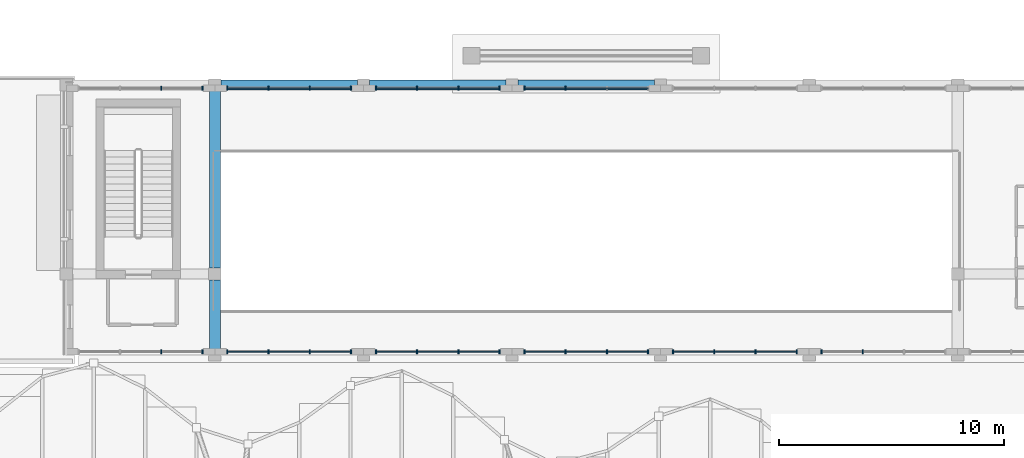
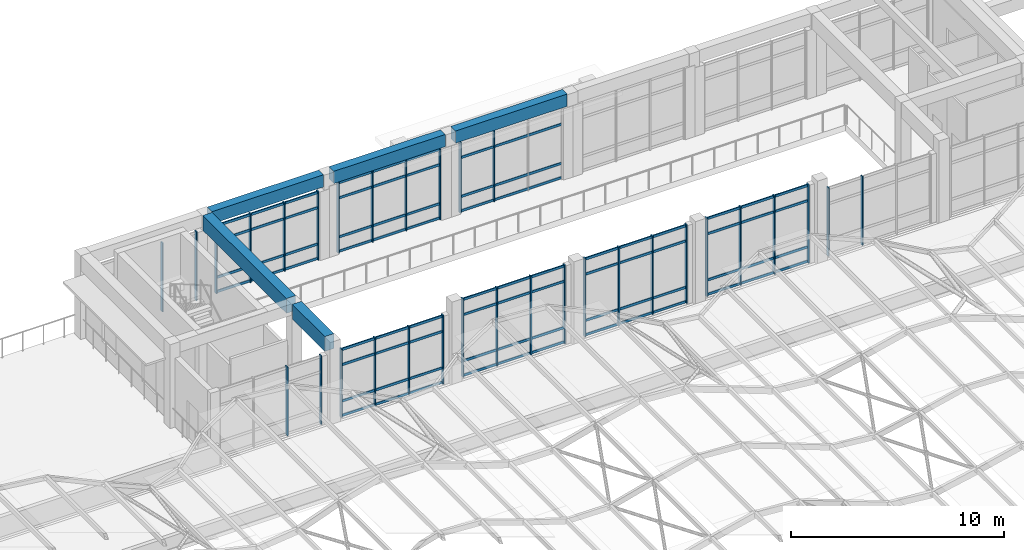
# One storey, part 21 of 79: 59 members, 5 beams, 10 elements without a shape of their own.
"""IFC4 building model written with IfcOpenShell, lengths in metres."""

import ifcopenshell
import ifcopenshell.guid

model = None  # the IFC model being written
_history = None  # IfcOwnerHistory: only IFC2X3 demands one
_inside = {}  # id of a spatial element -> (the spatial element, [elements in it])
_under = {}  # id of a project, library or spatial element -> (it, [spatial elements below it])
_declared = {}  # id of a project -> (the project, [libraries it declares])
_typed = {}  # id of a type object -> (the type object, [elements of that type])
_made_of = {}  # id of a material, layer set ... -> (it, [elements and type objects made of it])


def new_model(schema):
    """Start an empty IFC model of exactly this schema.

    Asked for "IFC4X3", IfcOpenShell would pick the latest addendum, in which some entities
    have other attributes; the version numbers below select the first issue.
    IFC2X3 requires an IfcOwnerHistory on every rooted entity: one is made here for all.
    """
    global model, _history
    if schema == "IFC4X3":
        model = ifcopenshell.file(schema_version=(4, 3, 0, 0))
    else:
        model = ifcopenshell.file(schema=schema)
    _inside.clear()
    _under.clear()
    _declared.clear()
    _typed.clear()
    _made_of.clear()
    _history = None
    if model.schema == "IFC2X3":
        org = make("IfcOrganization", Name="unknown")
        user = make(
            "IfcPersonAndOrganization",
            ThePerson=make("IfcPerson", FamilyName="unknown"),
            TheOrganization=org,
        )
        app = make(
            "IfcApplication",
            ApplicationDeveloper=org,
            Version="unknown",
            ApplicationFullName="unknown",
            ApplicationIdentifier="unknown",
        )
        _history = make(
            "IfcOwnerHistory",
            OwningUser=user,
            OwningApplication=app,
            ChangeAction="ADDED",
            CreationDate=0,
        )
    return model


def make(cls, **values):
    """One entity of the class cls with the attributes given. An attribute that is None is left unset."""
    return model.create_entity(
        cls, **{name: value for name, value in values.items() if value is not None}
    )


def rooted(cls, **values):
    """An entity with a GlobalId (a new one), such as an element, a storey or a relation."""
    return make(cls, GlobalId=ifcopenshell.guid.new(), OwnerHistory=_history, **values)


def si_unit(unit_type, name, prefix=None):
    """IfcSIUnit, for example si_unit("LENGTHUNIT", "METRE", prefix="MILLI")."""
    return make("IfcSIUnit", UnitType=unit_type, Prefix=prefix, Name=name)


def assignment(units):
    """IfcUnitAssignment: the units of a project."""
    return None if units is None else make("IfcUnitAssignment", Units=units)


def point(xyz):
    """IfcCartesianPoint."""
    return None if xyz is None else make("IfcCartesianPoint", Coordinates=xyz)


def direction(xyz):
    """IfcDirection."""
    return None if xyz is None else make("IfcDirection", DirectionRatios=xyz)


def frame(location, z_axis=None, x_axis=None):
    """IfcAxis2Placement3D, a coordinate frame: its origin and axes. An axis left out is left unset."""
    return make(
        "IfcAxis2Placement3D",
        Location=point(location),
        Axis=direction(z_axis),
        RefDirection=direction(x_axis),
    )


def frame_2d(location, x_axis=None):
    """IfcAxis2Placement2D, a coordinate frame in the plane: its origin and x axis."""
    return make(
        "IfcAxis2Placement2D", Location=point(location), RefDirection=direction(x_axis)
    )


def origin():
    """The frame at (0, 0, 0) with its axes left unset."""
    return frame((0.0, 0.0, 0.0))


def origin_2d():
    """The frame at (0, 0) in the plane with its x axis left unset."""
    return frame_2d((0.0, 0.0))


def place(relative_to, where):
    """IfcLocalPlacement: puts the frame where relative to a parent placement (None: the world)."""
    return make(
        "IfcLocalPlacement", PlacementRelTo=relative_to, RelativePlacement=where
    )


def context(
    kind, dimensions, precision=None, world=None, true_north=None, identifier=None
):
    """IfcGeometricRepresentationContext, for example the 3D "Model" context."""
    return make(
        "IfcGeometricRepresentationContext",
        ContextIdentifier=identifier,
        ContextType=kind,
        CoordinateSpaceDimension=dimensions,
        Precision=precision,
        WorldCoordinateSystem=world,
        TrueNorth=true_north,
    )


def subcontext(parent, identifier, kind, view, scale=None):
    """IfcGeometricRepresentationSubContext, for example "Body" below "Model"."""
    return make(
        "IfcGeometricRepresentationSubContext",
        ContextIdentifier=identifier,
        ContextType=kind,
        ParentContext=parent,
        TargetScale=scale,
        TargetView=view,
    )


def project(units=None, contexts=None):
    """IfcProject with its units and contexts."""
    return rooted(
        "IfcProject",
        Name="project",
        RepresentationContexts=contexts,
        UnitsInContext=assignment(units),
    )


def spatial(cls, under=None, at=None, **own):
    """A site, building, storey or space (cls), placed at a placement, below another one or the project."""
    s = rooted(cls, ObjectPlacement=at, **own)
    if under is not None:
        _under.setdefault(under.id(), (under, []))[1].append(s)
    return s


def profile(cls, at=None, kind="AREA", **sizes):
    """A parametric profile (cls). Its sizes go by their IFC names, for example OverallWidth=200.0."""
    return make(cls, ProfileType=kind, Position=at, **sizes)


def rectangle(**sizes):
    """IfcRectangleProfileDef."""
    return profile("IfcRectangleProfileDef", **sizes)


def extrude(swept, where, along, depth):
    """IfcExtrudedAreaSolid: the profile swept, set in the frame where, extruded along a direction by depth."""
    return make(
        "IfcExtrudedAreaSolid",
        SweptArea=swept,
        Position=where,
        ExtrudedDirection=direction(along),
        Depth=depth,
    )


def shape(context_of_items, identifier, shape_type, items):
    """IfcShapeRepresentation: the items that make up one representation, for example the "Body"."""
    return make(
        "IfcShapeRepresentation",
        ContextOfItems=context_of_items,
        RepresentationIdentifier=identifier,
        RepresentationType=shape_type,
        Items=items,
    )


def material(Name=None, Category=None):
    """IfcMaterial."""
    return make("IfcMaterial", Name=Name, Category=Category)


def layer(
    of_material, thickness, ventilated=None, Name=None, Category=None, Priority=None
):
    """IfcMaterialLayer: one layer of a wall or slab, of a material (None: an air gap)."""
    return make(
        "IfcMaterialLayer",
        Material=of_material,
        LayerThickness=thickness,
        IsVentilated=ventilated,
        Name=Name,
        Category=Category,
        Priority=Priority,
    )


def layer_set(layers, Name=None):
    """IfcMaterialLayerSet."""
    return make("IfcMaterialLayerSet", MaterialLayers=layers, LayerSetName=Name)


def material_profile(
    of_material, cross_section, Name=None, Category=None, Priority=None
):
    """IfcMaterialProfile: a cross section and its material."""
    return make(
        "IfcMaterialProfile",
        Name=Name,
        Material=of_material,
        Profile=cross_section,
        Priority=Priority,
        Category=Category,
    )


def profile_set(profiles, Name=None, composite=None):
    """IfcMaterialProfileSet."""
    return make(
        "IfcMaterialProfileSet",
        Name=Name,
        MaterialProfiles=profiles,
        CompositeProfile=composite,
    )


def made_of(thing, what):
    """Note that an element or type object is made of a material, layer set ...; save() writes the relation."""
    if what is not None:
        _made_of.setdefault(what.id(), (what, []))[1].append(thing)
    return thing


def type_object(cls, material=None, **own):
    """A type object (cls), such as IfcWallType, which elements share."""
    return made_of(rooted(cls, **own), material)


def element(
    cls,
    number,
    at=None,
    inside=None,
    cuts=None,
    type_object=None,
    material=None,
    context=None,
    identifier="Body",
    shape_type=None,
    held_by="IfcProductDefinitionShape",
    body=None,
    shapes=None,
    **own,
):
    """One element of the class cls, such as IfcWall. Its Tag is "e" and its number.

    at: its placement. inside: the storey or other place that contains it. cuts: it is an
    opening in that element (IfcRelVoidsElement). A single representation is given by context,
    identifier, shape_type and body (its items); several are given by shapes. held_by: the class
    of the entity that holds the representations. save() writes the other relations.
    """
    e = rooted(cls, Tag="e%d" % number, ObjectPlacement=at, **own)
    if body is not None:
        shapes = [shape(context, identifier, shape_type, body)]
    if shapes is not None:
        e.Representation = make(held_by, Representations=shapes)
    if inside is not None:
        _inside.setdefault(inside.id(), (inside, []))[1].append(e)
    if cuts is not None:
        rooted(
            "IfcRelVoidsElement", RelatingBuildingElement=cuts, RelatedOpeningElement=e
        )
    if type_object is not None:
        _typed.setdefault(type_object.id(), (type_object, []))[1].append(e)
    return made_of(e, material)


def aggregate(whole, parts):
    """IfcRelAggregates: a whole, such as a stair, and the parts it consists of."""
    return rooted("IfcRelAggregates", RelatingObject=whole, RelatedObjects=parts)


def save(model, path):
    """Write the relations noted so far, then the file.

    IfcRelAggregates (storeys below a building ...), IfcRelContainedInSpatialStructure (elements
    in a storey), IfcRelDefinesByType, IfcRelAssociatesMaterial and IfcRelDeclares: one each for
    every whole, place, type object, material and project.
    """
    for whole, parts in _under.values():
        aggregate(whole, parts)
    for where, things in _inside.values():
        rooted(
            "IfcRelContainedInSpatialStructure",
            RelatedElements=things,
            RelatingStructure=where,
        )
    for kind, things in _typed.values():
        rooted("IfcRelDefinesByType", RelatedObjects=things, RelatingType=kind)
    for what, things in _made_of.values():
        rooted("IfcRelAssociatesMaterial", RelatedObjects=things, RelatingMaterial=what)
    for by, libraries in _declared.values():
        rooted("IfcRelDeclares", RelatingContext=by, RelatedDefinitions=libraries)
    model.write(path)


model = new_model("IFC4")

# Units and contexts
model_context = context("Model", 3, precision=1e-05, world=origin(), true_north=direction((0.0, 1.0)))
body_context = subcontext(model_context, "Body", "Model", "MODEL_VIEW")
ifc_project = project(units=[si_unit("LENGTHUNIT", "METRE"), si_unit("AREAUNIT", "SQUARE_METRE"), si_unit("VOLUMEUNIT", "CUBIC_METRE"), si_unit("PLANEANGLEUNIT", "RADIAN"), si_unit("MASSUNIT", "GRAM", prefix="KILO")], contexts=[model_context])

# Site, building, storey
site_placement = place(None, origin())
site = spatial("IfcSite", under=ifc_project, at=site_placement, CompositionType="ELEMENT")
building_placement = place(site_placement, origin())
building = spatial("IfcBuilding", under=site, at=building_placement, Name="Kolvaren Faculty of Natural Sciences", CompositionType="ELEMENT")
storey_placement = place(building_placement, frame((0.0, 0.0, 10.199951171875)))
storey = spatial("IfcBuildingStorey", under=building, at=storey_placement, Name="L02", CompositionType="ELEMENT", Elevation=10.199951171875)

# Curtain wall, members
ifc_material_1 = material(Name="Thermally broken anodised aluminium framing", Category="aluminium")
ifc_layer = layer(ifc_material_1, 0.179931640625)
ifc_layer_set = layer_set([ifc_layer], Name="Thermally broken anodised aluminium framing")
curtain_wall_type = type_object("IfcCurtainWallType", Name="AtriumCurtainWall_CW01", PredefinedType="NOTDEFINED", material=ifc_layer_set)
curtain_wall_1_placement = place(storey_placement, origin())
curtain_wall_1 = element("IfcCurtainWall", 1, at=curtain_wall_1_placement, inside=storey, type_object=curtain_wall_type, Name="L02 unitised curtain wall CW-01 (CW-L02-120)", PredefinedType="NOTDEFINED")
ifc_material_profile_1 = material_profile(ifc_material_1, rectangle(XDim=0.06005859375, YDim=0.179931640625, at=origin_2d()), Name="ALU MUL 60x180")
ifc_profile_set_1 = profile_set([ifc_material_profile_1], Name="Thermally broken anodised aluminium framing")
member_type_1 = type_object("IfcMemberType", Name="CurtainMullion_60x180", PredefinedType="MULLION", material=ifc_profile_set_1)
member_1_placement = place(storey_placement, frame((94.9833984375, 72.35009765625, 0.0), z_axis=(0.0, 0.0, 1.0), x_axis=(-1.0, 0.0, 0.0)))
member_1 = element("IfcMember", 2, at=member_1_placement, type_object=member_type_1, Name="CW-L02-120 vertical mullion 3", PredefinedType="MULLION", context=body_context, shape_type="SweptSolid", body=[
    extrude(rectangle(XDim=0.06005859375, YDim=0.179931640625, at=origin_2d()), origin(), (0.0, 0.0, 1.0), 3.93505859375),
])
member_2_placement = place(storey_placement, frame((93.14990234375, 72.35009765625, 0.0), z_axis=(0.0, 0.0, 1.0), x_axis=(-1.0, 0.0, 0.0)))
member_2 = element("IfcMember", 3, at=member_2_placement, type_object=member_type_1, Name="CW-L02-120 vertical mullion 4", PredefinedType="MULLION", context=body_context, shape_type="SweptSolid", body=[
    extrude(rectangle(XDim=0.06005859375, YDim=0.179931640625, at=origin_2d()), origin(), (0.0, 0.0, 1.0), 3.93505859375),
])
aggregate(curtain_wall_1, [member_1, member_2])

curtain_wall_2_placement = place(storey_placement, origin())
curtain_wall_2 = element("IfcCurtainWall", 4, at=curtain_wall_2_placement, inside=storey, type_object=curtain_wall_type, Name="L02 unitised curtain wall CW-01 (CW-L02-121)", PredefinedType="NOTDEFINED")
member_3_placement = place(storey_placement, frame((92.050048828125, 72.35009765625, 0.0), z_axis=(0.0, 0.0, 1.0), x_axis=(-1.0, 0.0, 0.0)))
member_3 = element("IfcMember", 5, at=member_3_placement, type_object=member_type_1, Name="CW-L02-121 vertical mullion 1", PredefinedType="MULLION", context=body_context, shape_type="SweptSolid", body=[
    extrude(rectangle(XDim=0.06005859375, YDim=0.179931640625, at=origin_2d()), origin(), (0.0, 0.0, 1.0), 4.5),
])
member_4_placement = place(storey_placement, frame((90.216796875, 72.35009765625, 0.0), z_axis=(0.0, 0.0, 1.0), x_axis=(-1.0, 0.0, 0.0)))
member_4 = element("IfcMember", 6, at=member_4_placement, type_object=member_type_1, Name="CW-L02-121 vertical mullion 2", PredefinedType="MULLION", context=body_context, shape_type="SweptSolid", body=[
    extrude(rectangle(XDim=0.06005859375, YDim=0.179931640625, at=origin_2d()), origin(), (0.0, 0.0, 1.0), 4.5),
])
member_5_placement = place(storey_placement, frame((88.38330078125, 72.35009765625, 0.0), z_axis=(0.0, 0.0, 1.0), x_axis=(-1.0, 0.0, 0.0)))
member_5 = element("IfcMember", 7, at=member_5_placement, type_object=member_type_1, Name="CW-L02-121 vertical mullion 3", PredefinedType="MULLION", context=body_context, shape_type="SweptSolid", body=[
    extrude(rectangle(XDim=0.06005859375, YDim=0.179931640625, at=origin_2d()), origin(), (0.0, 0.0, 1.0), 4.5),
])
member_6_placement = place(storey_placement, frame((86.550048828125, 72.35009765625, 0.0), z_axis=(0.0, 0.0, 1.0), x_axis=(-1.0, 0.0, 0.0)))
member_6 = element("IfcMember", 8, at=member_6_placement, type_object=member_type_1, Name="CW-L02-121 vertical mullion 4", PredefinedType="MULLION", context=body_context, shape_type="SweptSolid", body=[
    extrude(rectangle(XDim=0.06005859375, YDim=0.179931640625, at=origin_2d()), origin(), (0.0, 0.0, 1.0), 4.5),
])

curtain_wall_3_placement = place(storey_placement, origin())
curtain_wall_3 = element("IfcCurtainWall", 9, at=curtain_wall_3_placement, inside=storey, type_object=curtain_wall_type, Name="L02 unitised curtain wall CW-01 (CW-L02-122)", PredefinedType="NOTDEFINED")
member_7_placement = place(storey_placement, frame((85.449951171875, 72.35009765625, 0.0), z_axis=(0.0, 0.0, 1.0), x_axis=(-1.0, 0.0, 0.0)))
member_7 = element("IfcMember", 10, at=member_7_placement, type_object=member_type_1, Name="CW-L02-122 vertical mullion 1", PredefinedType="MULLION", context=body_context, shape_type="SweptSolid", body=[
    extrude(rectangle(XDim=0.06005859375, YDim=0.179931640625, at=origin_2d()), origin(), (0.0, 0.0, 1.0), 4.5),
])
member_8_placement = place(storey_placement, frame((83.61669921875, 72.35009765625, 0.0), z_axis=(0.0, 0.0, 1.0), x_axis=(-1.0, 0.0, 0.0)))
member_8 = element("IfcMember", 11, at=member_8_placement, type_object=member_type_1, Name="CW-L02-122 vertical mullion 2", PredefinedType="MULLION", context=body_context, shape_type="SweptSolid", body=[
    extrude(rectangle(XDim=0.06005859375, YDim=0.179931640625, at=origin_2d()), origin(), (0.0, 0.0, 1.0), 4.5),
])
member_9_placement = place(storey_placement, frame((81.783203125, 72.35009765625, 0.0), z_axis=(0.0, 0.0, 1.0), x_axis=(-1.0, 0.0, 0.0)))
member_9 = element("IfcMember", 12, at=member_9_placement, type_object=member_type_1, Name="CW-L02-122 vertical mullion 3", PredefinedType="MULLION", context=body_context, shape_type="SweptSolid", body=[
    extrude(rectangle(XDim=0.06005859375, YDim=0.179931640625, at=origin_2d()), origin(), (0.0, 0.0, 1.0), 4.5),
])
member_10_placement = place(storey_placement, frame((79.949951171875, 72.35009765625, 0.0), z_axis=(0.0, 0.0, 1.0), x_axis=(-1.0, 0.0, 0.0)))
member_10 = element("IfcMember", 13, at=member_10_placement, type_object=member_type_1, Name="CW-L02-122 vertical mullion 4", PredefinedType="MULLION", context=body_context, shape_type="SweptSolid", body=[
    extrude(rectangle(XDim=0.06005859375, YDim=0.179931640625, at=origin_2d()), origin(), (0.0, 0.0, 1.0), 4.5),
])

curtain_wall_4_placement = place(storey_placement, origin())
curtain_wall_4 = element("IfcCurtainWall", 14, at=curtain_wall_4_placement, inside=storey, type_object=curtain_wall_type, Name="L02 unitised curtain wall CW-01 (CW-L02-123)", PredefinedType="NOTDEFINED")
member_11_placement = place(storey_placement, frame((78.85009765625, 72.35009765625, 0.0), z_axis=(0.0, 0.0, 1.0), x_axis=(-1.0, 0.0, 0.0)))
member_11 = element("IfcMember", 15, at=member_11_placement, type_object=member_type_1, Name="CW-L02-123 vertical mullion 1", PredefinedType="MULLION", context=body_context, shape_type="SweptSolid", body=[
    extrude(rectangle(XDim=0.06005859375, YDim=0.179931640625, at=origin_2d()), origin(), (0.0, 0.0, 1.0), 4.5),
])
member_12_placement = place(storey_placement, frame((77.0166015625, 72.35009765625, 0.0), z_axis=(0.0, 0.0, 1.0), x_axis=(-1.0, 0.0, 0.0)))
member_12 = element("IfcMember", 16, at=member_12_placement, type_object=member_type_1, Name="CW-L02-123 vertical mullion 2", PredefinedType="MULLION", context=body_context, shape_type="SweptSolid", body=[
    extrude(rectangle(XDim=0.06005859375, YDim=0.179931640625, at=origin_2d()), origin(), (0.0, 0.0, 1.0), 4.5),
])
member_13_placement = place(storey_placement, frame((75.183349609375, 72.35009765625, 0.0), z_axis=(0.0, 0.0, 1.0), x_axis=(-1.0, 0.0, 0.0)))
member_13 = element("IfcMember", 17, at=member_13_placement, type_object=member_type_1, Name="CW-L02-123 vertical mullion 3", PredefinedType="MULLION", context=body_context, shape_type="SweptSolid", body=[
    extrude(rectangle(XDim=0.06005859375, YDim=0.179931640625, at=origin_2d()), origin(), (0.0, 0.0, 1.0), 4.5),
])
member_14_placement = place(storey_placement, frame((73.35009765625, 72.35009765625, 0.0), z_axis=(0.0, 0.0, 1.0), x_axis=(-1.0, 0.0, 0.0)))
member_14 = element("IfcMember", 18, at=member_14_placement, type_object=member_type_1, Name="CW-L02-123 vertical mullion 4", PredefinedType="MULLION", context=body_context, shape_type="SweptSolid", body=[
    extrude(rectangle(XDim=0.06005859375, YDim=0.179931640625, at=origin_2d()), origin(), (0.0, 0.0, 1.0), 4.5),
])

curtain_wall_5_placement = place(storey_placement, origin())
curtain_wall_5 = element("IfcCurtainWall", 19, at=curtain_wall_5_placement, inside=storey, type_object=curtain_wall_type, Name="L02 unitised curtain wall CW-01 (CW-L02-124)", PredefinedType="NOTDEFINED")
member_15_placement = place(storey_placement, frame((72.25, 72.35009765625, 0.0), z_axis=(0.0, 0.0, 1.0), x_axis=(-1.0, 0.0, 0.0)))
member_15 = element("IfcMember", 20, at=member_15_placement, type_object=member_type_1, Name="CW-L02-124 vertical mullion 1", PredefinedType="MULLION", context=body_context, shape_type="SweptSolid", body=[
    extrude(rectangle(XDim=0.06005859375, YDim=0.179931640625, at=origin_2d()), origin(), (0.0, 0.0, 1.0), 3.93505859375),
])
member_16_placement = place(storey_placement, frame((70.416748046875, 72.35009765625, 0.0), z_axis=(0.0, 0.0, 1.0), x_axis=(-1.0, 0.0, 0.0)))
member_16 = element("IfcMember", 21, at=member_16_placement, type_object=member_type_1, Name="CW-L02-124 vertical mullion 2", PredefinedType="MULLION", context=body_context, shape_type="SweptSolid", body=[
    extrude(rectangle(XDim=0.06005859375, YDim=0.179931640625, at=origin_2d()), origin(), (0.0, 0.0, 1.0), 3.93505859375),
])
member_17_placement = place(storey_placement, frame((68.583251953125, 72.35009765625, 0.0), z_axis=(0.0, 0.0, 1.0), x_axis=(-1.0, 0.0, 0.0)))
member_17 = element("IfcMember", 22, at=member_17_placement, type_object=member_type_1, Name="CW-L02-124 vertical mullion 3", PredefinedType="MULLION", context=body_context, shape_type="SweptSolid", body=[
    extrude(rectangle(XDim=0.06005859375, YDim=0.179931640625, at=origin_2d()), origin(), (0.0, 0.0, 1.0), 3.93505859375),
])
member_18_placement = place(storey_placement, frame((66.75, 72.35009765625, 0.0), z_axis=(0.0, 0.0, 1.0), x_axis=(-1.0, 0.0, 0.0)))
member_18 = element("IfcMember", 23, at=member_18_placement, type_object=member_type_1, Name="CW-L02-124 vertical mullion 4", PredefinedType="MULLION", context=body_context, shape_type="SweptSolid", body=[
    extrude(rectangle(XDim=0.06005859375, YDim=0.179931640625, at=origin_2d()), origin(), (0.0, 0.0, 1.0), 3.93505859375),
])

curtain_wall_6_placement = place(storey_placement, origin())
curtain_wall_6 = element("IfcCurtainWall", 24, at=curtain_wall_6_placement, inside=storey, type_object=curtain_wall_type, Name="L02 unitised curtain wall CW-01 (CW-L02-125)", PredefinedType="NOTDEFINED")
member_19_placement = place(storey_placement, frame((65.64990234375, 72.35009765625, 0.0), z_axis=(0.0, 0.0, 1.0), x_axis=(-1.0, 0.0, 0.0)))
member_19 = element("IfcMember", 25, at=member_19_placement, type_object=member_type_1, Name="CW-L02-125 vertical mullion 1", PredefinedType="MULLION", context=body_context, shape_type="SweptSolid", body=[
    extrude(rectangle(XDim=0.06005859375, YDim=0.179931640625, at=origin_2d()), origin(), (0.0, 0.0, 1.0), 3.93505859375),
])
member_20_placement = place(storey_placement, frame((63.816650390625, 72.35009765625, 0.0), z_axis=(0.0, 0.0, 1.0), x_axis=(-1.0, 0.0, 0.0)))
member_20 = element("IfcMember", 26, at=member_20_placement, type_object=member_type_1, Name="CW-L02-125 vertical mullion 2", PredefinedType="MULLION", context=body_context, shape_type="SweptSolid", body=[
    extrude(rectangle(XDim=0.06005859375, YDim=0.179931640625, at=origin_2d()), origin(), (0.0, 0.0, 1.0), 3.93505859375),
])
aggregate(curtain_wall_6, [member_19, member_20])

curtain_wall_7_placement = place(storey_placement, origin())
curtain_wall_7 = element("IfcCurtainWall", 27, at=curtain_wall_7_placement, inside=storey, type_object=curtain_wall_type, Name="L02 unitised curtain wall CW-01 (CW-L02-126)", PredefinedType="NOTDEFINED")
member_21_placement = place(storey_placement, frame((63.816650390625, 84.050048828125, 0.0), z_axis=(0.0, 0.0, 1.0), x_axis=(1.0, 0.0, 0.0)))
member_21 = element("IfcMember", 28, at=member_21_placement, type_object=member_type_1, Name="CW-L02-126 vertical mullion 3", PredefinedType="MULLION", context=body_context, shape_type="SweptSolid", body=[
    extrude(rectangle(XDim=0.06005859375, YDim=0.179931640625, at=origin_2d()), origin(), (0.0, 0.0, 1.0), 3.93505859375),
])
member_22_placement = place(storey_placement, frame((65.64990234375, 84.050048828125, 0.0), z_axis=(0.0, 0.0, 1.0), x_axis=(1.0, 0.0, 0.0)))
member_22 = element("IfcMember", 29, at=member_22_placement, type_object=member_type_1, Name="CW-L02-126 vertical mullion 4", PredefinedType="MULLION", context=body_context, shape_type="SweptSolid", body=[
    extrude(rectangle(XDim=0.06005859375, YDim=0.179931640625, at=origin_2d()), origin(), (0.0, 0.0, 1.0), 3.93505859375),
])
aggregate(curtain_wall_7, [member_21, member_22])

curtain_wall_8_placement = place(storey_placement, origin())
curtain_wall_8 = element("IfcCurtainWall", 30, at=curtain_wall_8_placement, inside=storey, type_object=curtain_wall_type, Name="L02 unitised curtain wall CW-01 (CW-L02-127)", PredefinedType="NOTDEFINED")
member_23_placement = place(storey_placement, frame((66.75, 84.050048828125, 0.0), z_axis=(0.0, 0.0, 1.0), x_axis=(1.0, 0.0, 0.0)))
member_23 = element("IfcMember", 31, at=member_23_placement, type_object=member_type_1, Name="CW-L02-127 vertical mullion 1", PredefinedType="MULLION", context=body_context, shape_type="SweptSolid", body=[
    extrude(rectangle(XDim=0.06005859375, YDim=0.179931640625, at=origin_2d()), origin(), (0.0, 0.0, 1.0), 3.93505859375),
])
member_24_placement = place(storey_placement, frame((68.583251953125, 84.050048828125, 0.0), z_axis=(0.0, 0.0, 1.0), x_axis=(1.0, 0.0, 0.0)))
member_24 = element("IfcMember", 32, at=member_24_placement, type_object=member_type_1, Name="CW-L02-127 vertical mullion 2", PredefinedType="MULLION", context=body_context, shape_type="SweptSolid", body=[
    extrude(rectangle(XDim=0.06005859375, YDim=0.179931640625, at=origin_2d()), origin(), (0.0, 0.0, 1.0), 3.93505859375),
])
member_25_placement = place(storey_placement, frame((70.416748046875, 84.050048828125, 0.0), z_axis=(0.0, 0.0, 1.0), x_axis=(1.0, 0.0, 0.0)))
member_25 = element("IfcMember", 33, at=member_25_placement, type_object=member_type_1, Name="CW-L02-127 vertical mullion 3", PredefinedType="MULLION", context=body_context, shape_type="SweptSolid", body=[
    extrude(rectangle(XDim=0.06005859375, YDim=0.179931640625, at=origin_2d()), origin(), (0.0, 0.0, 1.0), 3.93505859375),
])
member_26_placement = place(storey_placement, frame((72.25, 84.050048828125, 0.0), z_axis=(0.0, 0.0, 1.0), x_axis=(1.0, 0.0, 0.0)))
member_26 = element("IfcMember", 34, at=member_26_placement, type_object=member_type_1, Name="CW-L02-127 vertical mullion 4", PredefinedType="MULLION", context=body_context, shape_type="SweptSolid", body=[
    extrude(rectangle(XDim=0.06005859375, YDim=0.179931640625, at=origin_2d()), origin(), (0.0, 0.0, 1.0), 3.93505859375),
])

curtain_wall_9_placement = place(storey_placement, origin())
curtain_wall_9 = element("IfcCurtainWall", 35, at=curtain_wall_9_placement, inside=storey, type_object=curtain_wall_type, Name="L02 unitised curtain wall CW-01 (CW-L02-128)", PredefinedType="NOTDEFINED")
member_27_placement = place(storey_placement, frame((73.35009765625, 84.050048828125, 0.0), z_axis=(0.0, 0.0, 1.0), x_axis=(1.0, 0.0, 0.0)))
member_27 = element("IfcMember", 36, at=member_27_placement, type_object=member_type_1, Name="CW-L02-128 vertical mullion 1", PredefinedType="MULLION", context=body_context, shape_type="SweptSolid", body=[
    extrude(rectangle(XDim=0.06005859375, YDim=0.179931640625, at=origin_2d()), origin(), (0.0, 0.0, 1.0), 4.0849609375),
])
member_28_placement = place(storey_placement, frame((75.183349609375, 84.050048828125, 0.0), z_axis=(0.0, 0.0, 1.0), x_axis=(1.0, 0.0, 0.0)))
member_28 = element("IfcMember", 37, at=member_28_placement, type_object=member_type_1, Name="CW-L02-128 vertical mullion 2", PredefinedType="MULLION", context=body_context, shape_type="SweptSolid", body=[
    extrude(rectangle(XDim=0.06005859375, YDim=0.179931640625, at=origin_2d()), origin(), (0.0, 0.0, 1.0), 4.0849609375),
])
member_29_placement = place(storey_placement, frame((77.0166015625, 84.050048828125, 0.0), z_axis=(0.0, 0.0, 1.0), x_axis=(1.0, 0.0, 0.0)))
member_29 = element("IfcMember", 38, at=member_29_placement, type_object=member_type_1, Name="CW-L02-128 vertical mullion 3", PredefinedType="MULLION", context=body_context, shape_type="SweptSolid", body=[
    extrude(rectangle(XDim=0.06005859375, YDim=0.179931640625, at=origin_2d()), origin(), (0.0, 0.0, 1.0), 4.0849609375),
])
member_30_placement = place(storey_placement, frame((78.85009765625, 84.050048828125, 0.0), z_axis=(0.0, 0.0, 1.0), x_axis=(1.0, 0.0, 0.0)))
member_30 = element("IfcMember", 39, at=member_30_placement, type_object=member_type_1, Name="CW-L02-128 vertical mullion 4", PredefinedType="MULLION", context=body_context, shape_type="SweptSolid", body=[
    extrude(rectangle(XDim=0.06005859375, YDim=0.179931640625, at=origin_2d()), origin(), (0.0, 0.0, 1.0), 4.0849609375),
])

curtain_wall_10_placement = place(storey_placement, origin())
curtain_wall_10 = element("IfcCurtainWall", 40, at=curtain_wall_10_placement, inside=storey, type_object=curtain_wall_type, Name="L02 unitised curtain wall CW-01 (CW-L02-129)", PredefinedType="NOTDEFINED")
member_31_placement = place(storey_placement, frame((79.949951171875, 84.050048828125, 0.0), z_axis=(0.0, 0.0, 1.0), x_axis=(1.0, 0.0, 0.0)))
member_31 = element("IfcMember", 41, at=member_31_placement, type_object=member_type_1, Name="CW-L02-129 vertical mullion 1", PredefinedType="MULLION", context=body_context, shape_type="SweptSolid", body=[
    extrude(rectangle(XDim=0.06005859375, YDim=0.179931640625, at=origin_2d()), origin(), (0.0, 0.0, 1.0), 4.0849609375),
])
member_32_placement = place(storey_placement, frame((81.783203125, 84.050048828125, 0.0), z_axis=(0.0, 0.0, 1.0), x_axis=(1.0, 0.0, 0.0)))
member_32 = element("IfcMember", 42, at=member_32_placement, type_object=member_type_1, Name="CW-L02-129 vertical mullion 2", PredefinedType="MULLION", context=body_context, shape_type="SweptSolid", body=[
    extrude(rectangle(XDim=0.06005859375, YDim=0.179931640625, at=origin_2d()), origin(), (0.0, 0.0, 1.0), 4.0849609375),
])

# Member
ifc_material_profile_2 = material_profile(ifc_material_1, rectangle(XDim=0.06005859375, YDim=0.139892578125, at=origin_2d()), Name="ALU TRN 60x140")
ifc_profile_set_2 = profile_set([ifc_material_profile_2], Name="Thermally broken anodised aluminium framing")
member_type_2 = type_object("IfcMemberType", Name="CurtainTransom_60x140", PredefinedType="USERDEFINED", material=ifc_profile_set_2)
member_33_placement = place(storey_placement, frame((92.050048828125, 72.35009765625, 0.080078125), z_axis=(-1.0, 0.0, 0.0), x_axis=(0.0, -1.0, 0.0)))
member_33 = element("IfcMember", 43, at=member_33_placement, type_object=member_type_2, Name="CW-L02-121 horizontal transom 1", ObjectType="TRANSOM", PredefinedType="USERDEFINED", context=body_context, shape_type="SweptSolid", body=[
    extrude(rectangle(XDim=0.06005859375, YDim=0.139892578125, at=origin_2d()), origin(), (0.0, 0.0, 1.0), 5.5),
])

member_34_placement = place(storey_placement, frame((92.050048828125, 72.35009765625, 0.900146484375), z_axis=(-1.0, 0.0, 0.0), x_axis=(0.0, -1.0, 0.0)))
member_34 = element("IfcMember", 44, at=member_34_placement, type_object=member_type_2, Name="CW-L02-121 horizontal transom 2", ObjectType="TRANSOM", PredefinedType="USERDEFINED", context=body_context, shape_type="SweptSolid", body=[
    extrude(rectangle(XDim=0.06005859375, YDim=0.139892578125, at=origin_2d()), origin(), (0.0, 0.0, 1.0), 5.5),
])

member_35_placement = place(storey_placement, frame((92.050048828125, 72.35009765625, 3.550048828125), z_axis=(-1.0, 0.0, 0.0), x_axis=(0.0, -1.0, 0.0)))
member_35 = element("IfcMember", 45, at=member_35_placement, type_object=member_type_2, Name="CW-L02-121 horizontal transom 3", ObjectType="TRANSOM", PredefinedType="USERDEFINED", context=body_context, shape_type="SweptSolid", body=[
    extrude(rectangle(XDim=0.06005859375, YDim=0.139892578125, at=origin_2d()), origin(), (0.0, 0.0, 1.0), 5.5),
])

member_36_placement = place(storey_placement, frame((92.050048828125, 72.35009765625, 4.420166015625), z_axis=(-1.0, 0.0, 0.0), x_axis=(0.0, -1.0, 0.0)))
member_36 = element("IfcMember", 46, at=member_36_placement, type_object=member_type_2, Name="CW-L02-121 horizontal transom 4", ObjectType="TRANSOM", PredefinedType="USERDEFINED", context=body_context, shape_type="SweptSolid", body=[
    extrude(rectangle(XDim=0.06005859375, YDim=0.139892578125, at=origin_2d()), origin(), (0.0, 0.0, 1.0), 5.5),
])

aggregate(curtain_wall_2, [member_3, member_4, member_5, member_6, member_33, member_34, member_35, member_36])

member_37_placement = place(storey_placement, frame((85.449951171875, 72.35009765625, 0.080078125), z_axis=(-1.0, 0.0, 0.0), x_axis=(0.0, -1.0, 0.0)))
member_37 = element("IfcMember", 47, at=member_37_placement, type_object=member_type_2, Name="CW-L02-122 horizontal transom 1", ObjectType="TRANSOM", PredefinedType="USERDEFINED", context=body_context, shape_type="SweptSolid", body=[
    extrude(rectangle(XDim=0.06005859375, YDim=0.139892578125, at=origin_2d()), origin(), (0.0, 0.0, 1.0), 5.5),
])

member_38_placement = place(storey_placement, frame((85.449951171875, 72.35009765625, 0.900146484375), z_axis=(-1.0, 0.0, 0.0), x_axis=(0.0, -1.0, 0.0)))
member_38 = element("IfcMember", 48, at=member_38_placement, type_object=member_type_2, Name="CW-L02-122 horizontal transom 2", ObjectType="TRANSOM", PredefinedType="USERDEFINED", context=body_context, shape_type="SweptSolid", body=[
    extrude(rectangle(XDim=0.06005859375, YDim=0.139892578125, at=origin_2d()), origin(), (0.0, 0.0, 1.0), 5.5),
])

member_39_placement = place(storey_placement, frame((85.449951171875, 72.35009765625, 3.550048828125), z_axis=(-1.0, 0.0, 0.0), x_axis=(0.0, -1.0, 0.0)))
member_39 = element("IfcMember", 49, at=member_39_placement, type_object=member_type_2, Name="CW-L02-122 horizontal transom 3", ObjectType="TRANSOM", PredefinedType="USERDEFINED", context=body_context, shape_type="SweptSolid", body=[
    extrude(rectangle(XDim=0.06005859375, YDim=0.139892578125, at=origin_2d()), origin(), (0.0, 0.0, 1.0), 5.5),
])

member_40_placement = place(storey_placement, frame((85.449951171875, 72.35009765625, 4.420166015625), z_axis=(-1.0, 0.0, 0.0), x_axis=(0.0, -1.0, 0.0)))
member_40 = element("IfcMember", 50, at=member_40_placement, type_object=member_type_2, Name="CW-L02-122 horizontal transom 4", ObjectType="TRANSOM", PredefinedType="USERDEFINED", context=body_context, shape_type="SweptSolid", body=[
    extrude(rectangle(XDim=0.06005859375, YDim=0.139892578125, at=origin_2d()), origin(), (0.0, 0.0, 1.0), 5.5),
])

aggregate(curtain_wall_3, [member_7, member_8, member_9, member_10, member_37, member_38, member_39, member_40])

member_41_placement = place(storey_placement, frame((78.85009765625, 72.35009765625, 0.080078125), z_axis=(-1.0, 0.0, 0.0), x_axis=(0.0, -1.0, 0.0)))
member_41 = element("IfcMember", 51, at=member_41_placement, type_object=member_type_2, Name="CW-L02-123 horizontal transom 1", ObjectType="TRANSOM", PredefinedType="USERDEFINED", context=body_context, shape_type="SweptSolid", body=[
    extrude(rectangle(XDim=0.06005859375, YDim=0.139892578125, at=origin_2d()), origin(), (0.0, 0.0, 1.0), 5.5),
])

member_42_placement = place(storey_placement, frame((78.85009765625, 72.35009765625, 0.900146484375), z_axis=(-1.0, 0.0, 0.0), x_axis=(0.0, -1.0, 0.0)))
member_42 = element("IfcMember", 52, at=member_42_placement, type_object=member_type_2, Name="CW-L02-123 horizontal transom 2", ObjectType="TRANSOM", PredefinedType="USERDEFINED", context=body_context, shape_type="SweptSolid", body=[
    extrude(rectangle(XDim=0.06005859375, YDim=0.139892578125, at=origin_2d()), origin(), (0.0, 0.0, 1.0), 5.5),
])

member_43_placement = place(storey_placement, frame((78.85009765625, 72.35009765625, 3.550048828125), z_axis=(-1.0, 0.0, 0.0), x_axis=(0.0, -1.0, 0.0)))
member_43 = element("IfcMember", 53, at=member_43_placement, type_object=member_type_2, Name="CW-L02-123 horizontal transom 3", ObjectType="TRANSOM", PredefinedType="USERDEFINED", context=body_context, shape_type="SweptSolid", body=[
    extrude(rectangle(XDim=0.06005859375, YDim=0.139892578125, at=origin_2d()), origin(), (0.0, 0.0, 1.0), 5.5),
])

member_44_placement = place(storey_placement, frame((78.85009765625, 72.35009765625, 4.420166015625), z_axis=(-1.0, 0.0, 0.0), x_axis=(0.0, -1.0, 0.0)))
member_44 = element("IfcMember", 54, at=member_44_placement, type_object=member_type_2, Name="CW-L02-123 horizontal transom 4", ObjectType="TRANSOM", PredefinedType="USERDEFINED", context=body_context, shape_type="SweptSolid", body=[
    extrude(rectangle(XDim=0.06005859375, YDim=0.139892578125, at=origin_2d()), origin(), (0.0, 0.0, 1.0), 5.5),
])

aggregate(curtain_wall_4, [member_11, member_12, member_13, member_14, member_41, member_42, member_43, member_44])

member_45_placement = place(storey_placement, frame((72.25, 72.35009765625, 0.080078125), z_axis=(-1.0, 0.0, 0.0), x_axis=(0.0, -1.0, 0.0)))
member_45 = element("IfcMember", 55, at=member_45_placement, type_object=member_type_2, Name="CW-L02-124 horizontal transom 1", ObjectType="TRANSOM", PredefinedType="USERDEFINED", context=body_context, shape_type="SweptSolid", body=[
    extrude(rectangle(XDim=0.06005859375, YDim=0.139892578125, at=origin_2d()), origin(), (0.0, 0.0, 1.0), 5.5),
])

member_46_placement = place(storey_placement, frame((72.25, 72.35009765625, 0.900146484375), z_axis=(-1.0, 0.0, 0.0), x_axis=(0.0, -1.0, 0.0)))
member_46 = element("IfcMember", 56, at=member_46_placement, type_object=member_type_2, Name="CW-L02-124 horizontal transom 2", ObjectType="TRANSOM", PredefinedType="USERDEFINED", context=body_context, shape_type="SweptSolid", body=[
    extrude(rectangle(XDim=0.06005859375, YDim=0.139892578125, at=origin_2d()), origin(), (0.0, 0.0, 1.0), 5.5),
])

member_47_placement = place(storey_placement, frame((72.25, 72.35009765625, 2.985107421875), z_axis=(-1.0, 0.0, 0.0), x_axis=(0.0, -1.0, 0.0)))
member_47 = element("IfcMember", 57, at=member_47_placement, type_object=member_type_2, Name="CW-L02-124 horizontal transom 3", ObjectType="TRANSOM", PredefinedType="USERDEFINED", context=body_context, shape_type="SweptSolid", body=[
    extrude(rectangle(XDim=0.06005859375, YDim=0.139892578125, at=origin_2d()), origin(), (0.0, 0.0, 1.0), 5.5),
])

member_48_placement = place(storey_placement, frame((72.25, 72.35009765625, 3.85498046875), z_axis=(-1.0, 0.0, 0.0), x_axis=(0.0, -1.0, 0.0)))
member_48 = element("IfcMember", 58, at=member_48_placement, type_object=member_type_2, Name="CW-L02-124 horizontal transom 4", ObjectType="TRANSOM", PredefinedType="USERDEFINED", context=body_context, shape_type="SweptSolid", body=[
    extrude(rectangle(XDim=0.06005859375, YDim=0.139892578125, at=origin_2d()), origin(), (0.0, 0.0, 1.0), 5.5),
])

aggregate(curtain_wall_5, [member_15, member_16, member_17, member_18, member_45, member_46, member_47, member_48])

member_49_placement = place(storey_placement, frame((66.75, 84.050048828125, 0.080078125), z_axis=(1.0, 0.0, 0.0), x_axis=(0.0, 1.0, 0.0)))
member_49 = element("IfcMember", 59, at=member_49_placement, type_object=member_type_2, Name="CW-L02-127 horizontal transom 1", ObjectType="TRANSOM", PredefinedType="USERDEFINED", context=body_context, shape_type="SweptSolid", body=[
    extrude(rectangle(XDim=0.06005859375, YDim=0.139892578125, at=origin_2d()), origin(), (0.0, 0.0, 1.0), 5.5),
])

member_50_placement = place(storey_placement, frame((66.75, 84.050048828125, 0.900146484375), z_axis=(1.0, 0.0, 0.0), x_axis=(0.0, 1.0, 0.0)))
member_50 = element("IfcMember", 60, at=member_50_placement, type_object=member_type_2, Name="CW-L02-127 horizontal transom 2", ObjectType="TRANSOM", PredefinedType="USERDEFINED", context=body_context, shape_type="SweptSolid", body=[
    extrude(rectangle(XDim=0.06005859375, YDim=0.139892578125, at=origin_2d()), origin(), (0.0, 0.0, 1.0), 5.5),
])

member_51_placement = place(storey_placement, frame((66.75, 84.050048828125, 2.985107421875), z_axis=(1.0, 0.0, 0.0), x_axis=(0.0, 1.0, 0.0)))
member_51 = element("IfcMember", 61, at=member_51_placement, type_object=member_type_2, Name="CW-L02-127 horizontal transom 3", ObjectType="TRANSOM", PredefinedType="USERDEFINED", context=body_context, shape_type="SweptSolid", body=[
    extrude(rectangle(XDim=0.06005859375, YDim=0.139892578125, at=origin_2d()), origin(), (0.0, 0.0, 1.0), 5.5),
])

member_52_placement = place(storey_placement, frame((66.75, 84.050048828125, 3.85498046875), z_axis=(1.0, 0.0, 0.0), x_axis=(0.0, 1.0, 0.0)))
member_52 = element("IfcMember", 62, at=member_52_placement, type_object=member_type_2, Name="CW-L02-127 horizontal transom 4", ObjectType="TRANSOM", PredefinedType="USERDEFINED", context=body_context, shape_type="SweptSolid", body=[
    extrude(rectangle(XDim=0.06005859375, YDim=0.139892578125, at=origin_2d()), origin(), (0.0, 0.0, 1.0), 5.5),
])

aggregate(curtain_wall_8, [member_23, member_24, member_25, member_26, member_49, member_50, member_51, member_52])

member_53_placement = place(storey_placement, frame((73.35009765625, 84.050048828125, 0.080078125), z_axis=(1.0, 0.0, 0.0), x_axis=(0.0, 1.0, 0.0)))
member_53 = element("IfcMember", 63, at=member_53_placement, type_object=member_type_2, Name="CW-L02-128 horizontal transom 1", ObjectType="TRANSOM", PredefinedType="USERDEFINED", context=body_context, shape_type="SweptSolid", body=[
    extrude(rectangle(XDim=0.06005859375, YDim=0.139892578125, at=origin_2d()), origin(), (0.0, 0.0, 1.0), 5.5),
])

member_54_placement = place(storey_placement, frame((73.35009765625, 84.050048828125, 0.900146484375), z_axis=(1.0, 0.0, 0.0), x_axis=(0.0, 1.0, 0.0)))
member_54 = element("IfcMember", 64, at=member_54_placement, type_object=member_type_2, Name="CW-L02-128 horizontal transom 2", ObjectType="TRANSOM", PredefinedType="USERDEFINED", context=body_context, shape_type="SweptSolid", body=[
    extrude(rectangle(XDim=0.06005859375, YDim=0.139892578125, at=origin_2d()), origin(), (0.0, 0.0, 1.0), 5.5),
])

member_55_placement = place(storey_placement, frame((73.35009765625, 84.050048828125, 3.135009765625), z_axis=(1.0, 0.0, 0.0), x_axis=(0.0, 1.0, 0.0)))
member_55 = element("IfcMember", 65, at=member_55_placement, type_object=member_type_2, Name="CW-L02-128 horizontal transom 3", ObjectType="TRANSOM", PredefinedType="USERDEFINED", context=body_context, shape_type="SweptSolid", body=[
    extrude(rectangle(XDim=0.06005859375, YDim=0.139892578125, at=origin_2d()), origin(), (0.0, 0.0, 1.0), 5.5),
])

member_56_placement = place(storey_placement, frame((73.35009765625, 84.050048828125, 4.005126953125), z_axis=(1.0, 0.0, 0.0), x_axis=(0.0, 1.0, 0.0)))
member_56 = element("IfcMember", 66, at=member_56_placement, type_object=member_type_2, Name="CW-L02-128 horizontal transom 4", ObjectType="TRANSOM", PredefinedType="USERDEFINED", context=body_context, shape_type="SweptSolid", body=[
    extrude(rectangle(XDim=0.06005859375, YDim=0.139892578125, at=origin_2d()), origin(), (0.0, 0.0, 1.0), 5.5),
])

aggregate(curtain_wall_9, [member_27, member_28, member_29, member_30, member_53, member_54, member_55, member_56])

member_57_placement = place(storey_placement, frame((79.949951171875, 84.050048828125, 0.080078125), z_axis=(1.0, 0.0, 0.0), x_axis=(0.0, 1.0, 0.0)))
member_57 = element("IfcMember", 67, at=member_57_placement, type_object=member_type_2, Name="CW-L02-129 horizontal transom 1", ObjectType="TRANSOM", PredefinedType="USERDEFINED", context=body_context, shape_type="SweptSolid", body=[
    extrude(rectangle(XDim=0.06005859375, YDim=0.139892578125, at=origin_2d()), origin(), (0.0, 0.0, 1.0), 5.5),
])

member_58_placement = place(storey_placement, frame((79.949951171875, 84.050048828125, 0.900146484375), z_axis=(1.0, 0.0, 0.0), x_axis=(0.0, 1.0, 0.0)))
member_58 = element("IfcMember", 68, at=member_58_placement, type_object=member_type_2, Name="CW-L02-129 horizontal transom 2", ObjectType="TRANSOM", PredefinedType="USERDEFINED", context=body_context, shape_type="SweptSolid", body=[
    extrude(rectangle(XDim=0.06005859375, YDim=0.139892578125, at=origin_2d()), origin(), (0.0, 0.0, 1.0), 5.5),
])

member_59_placement = place(storey_placement, frame((79.949951171875, 84.050048828125, 3.135009765625), z_axis=(1.0, 0.0, 0.0), x_axis=(0.0, 1.0, 0.0)))
member_59 = element("IfcMember", 69, at=member_59_placement, type_object=member_type_2, Name="CW-L02-129 horizontal transom 3", ObjectType="TRANSOM", PredefinedType="USERDEFINED", context=body_context, shape_type="SweptSolid", body=[
    extrude(rectangle(XDim=0.06005859375, YDim=0.139892578125, at=origin_2d()), origin(), (0.0, 0.0, 1.0), 5.5),
])

aggregate(curtain_wall_10, [member_31, member_32, member_57, member_58, member_59])

# Beams
ifc_material_2 = material(Name="Concrete C35/45", Category="concrete")
ifc_material_profile_3 = material_profile(ifc_material_2, rectangle(XDim=0.449951171875, YDim=0.699951171875, at=origin_2d()), Name="RC SP 450x700")
ifc_profile_set_3 = profile_set([ifc_material_profile_3], Name="Concrete C35/45")
beam_type_1 = type_object("IfcBeamType", Name="PerimeterSpandrel_450x700", PredefinedType="SPANDREL", material=ifc_profile_set_3)
beam_1_placement = place(storey_placement, frame((66.47509765625, 84.199951171875, 4.449951171875), z_axis=(1.0, 0.0, 0.0), x_axis=(0.0, 1.0, 0.0)))
element("IfcBeam", 70, at=beam_1_placement, inside=storey, type_object=beam_type_1, Name="L02 spandrel SP-70 on grid L", PredefinedType="SPANDREL", context=body_context, shape_type="SweptSolid", body=[
    extrude(rectangle(XDim=0.449951171875, YDim=0.699951171875, at=origin_2d()), origin(), (0.0, 0.0, 1.0), 6.0498046875),
])
for number, where, z_axis, x_axis, name in (
    (71, (73.074951171875, 84.199951171875, 4.449951171875), (1.0, 0.0, 0.0), (0.0, 1.0, 0.0), "L02 spandrel SP-70 on grid L"),
    (72, (79.675048828125, 84.199951171875, 4.449951171875), (1.0, 0.0, 0.0), (0.0, 1.0, 0.0), "L02 spandrel SP-70 on grid L"),
):
    element("IfcBeam", number, at=place(storey_placement, frame(where, z_axis=z_axis, x_axis=x_axis)), inside=storey, type_object=beam_type_1, Name=name, PredefinedType="SPANDREL", context=body_context, shape_type="SweptSolid", body=[
        extrude(rectangle(XDim=0.449951171875, YDim=0.699951171875, at=origin_2d()), origin(), (0.0, 0.0, 1.0), 6.050048828125),
    ])
ifc_material_profile_4 = material_profile(ifc_material_2, rectangle(XDim=0.5, YDim=0.85009765625, at=origin_2d()), Name="RC BM 500x850")
ifc_profile_set_4 = profile_set([ifc_material_profile_4], Name="Concrete C35/45")
beam_type_2 = type_object("IfcBeamType", Name="PrimaryGirder_500x850", PredefinedType="BEAM", material=ifc_profile_set_4)
beam_2_placement = place(storey_placement, frame((66.199951171875, 72.47509765625, 4.375), z_axis=(0.0, 1.0, 0.0), x_axis=(-1.0, 0.0, 0.0)))
element("IfcBeam", 73, at=beam_2_placement, inside=storey, type_object=beam_type_2, Name="L02 girder BG-85 on grid 11", PredefinedType="BEAM", context=body_context, shape_type="SweptSolid", body=[
    extrude(rectangle(XDim=0.5, YDim=0.85009765625, at=origin_2d()), origin(), (0.0, 0.0, 1.0), 3.0498046875),
])
beam_3_placement = place(storey_placement, frame((66.199951171875, 76.074951171875, 4.375), z_axis=(0.0, 1.0, 0.0), x_axis=(-1.0, 0.0, 0.0)))
element("IfcBeam", 74, at=beam_3_placement, inside=storey, type_object=beam_type_2, Name="L02 girder BG-85 on grid 11", PredefinedType="BEAM", context=body_context, shape_type="SweptSolid", body=[
    extrude(rectangle(XDim=0.5, YDim=0.85009765625, at=origin_2d()), origin(), (0.0, 0.0, 1.0), 7.85009765625),
])

save(model, "model.ifc")
